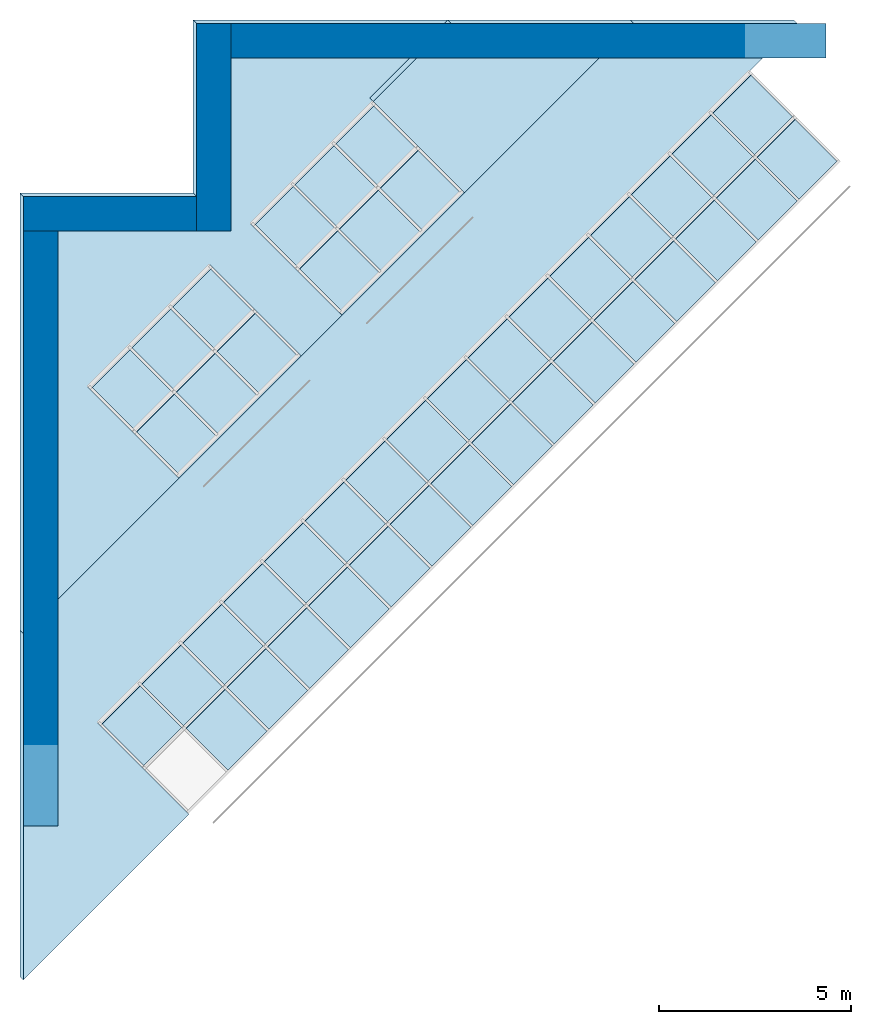
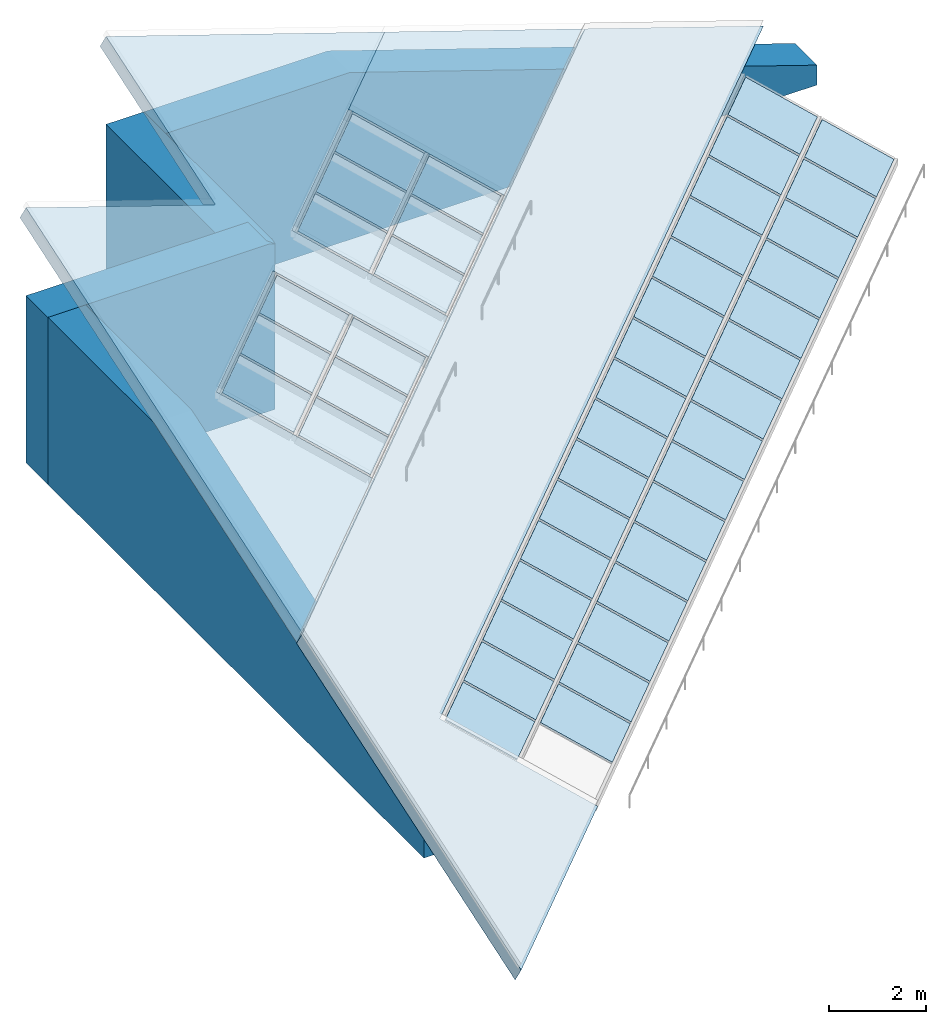
# One storey, part 2 of 3: 43 plates, 4 walls, 3 slabs, 3 elements without a shape of their own.
"""IFC4 building model written with IfcOpenShell, lengths in metres."""

from ifc_helpers import new_model, si_unit, direction, frame, origin, place, context, subcontext, project, spatial, polyline, outline, extrude, material, layer, layer_set, type_object, element, aggregate, save


model = new_model("IFC4")

# Units and contexts
model_context = context("Model", 3, precision=1e-05, world=origin(), true_north=direction((0.0, 1.0)))
body_context = subcontext(model_context, "Body", "Model", "MODEL_VIEW")
ifc_project = project(units=[si_unit("LENGTHUNIT", "METRE"), si_unit("AREAUNIT", "SQUARE_METRE"), si_unit("VOLUMEUNIT", "CUBIC_METRE"), si_unit("PLANEANGLEUNIT", "RADIAN"), si_unit("MASSUNIT", "GRAM", prefix="KILO")], contexts=[model_context])

# Site, building, storey
site_placement = place(None, origin())
site = spatial("IfcSite", under=ifc_project, at=site_placement, CompositionType="ELEMENT")
building_placement = place(site_placement, origin())
building = spatial("IfcBuilding", under=site, at=building_placement, Name="Hunhe Ridgeline Campus", CompositionType="ELEMENT")
storey_placement = place(building_placement, frame((0.0, 0.0, 328.199951171875)))
storey = spatial("IfcBuildingStorey", under=building, at=storey_placement, Name="L84 Crown", CompositionType="ELEMENT", Elevation=328.199951171875)

# Slabs
ifc_material_1 = material(Name="Concrete C40", Category="concrete")
ifc_layer_1 = layer(ifc_material_1, 0.300048828125)
ifc_layer_set_1 = layer_set([ifc_layer_1], Name="Roof slab 300 Concrete C40")
slab_type = type_object("IfcSlabType", Name="Roof slab 300 Concrete C40", PredefinedType="ROOF", material=ifc_layer_set_1)
slab_1_placement = place(storey_placement, frame((4.30517578125, 78.426513671875, -0.385009765625), z_axis=(0.301525980283, -0.30152748493, 0.904523774727), x_axis=(-0.639594894843, 0.639594894866, 0.42642319467)))
element("IfcSlab", 1, at=slab_1_placement, inside=storey, type_object=slab_type, Name="Crown roof slab 10", PredefinedType="ROOF", context=body_context, shape_type="SweptSolid", body=[
    extrude(outline(polyline([(0.0, 0.0), (3.719040818776296, -2.6085904270001237e-16), (3.719040819201382, -25.731367175136143), (7.035727745299717, -22.731342359778658), (7.035727744928742, -0.275523052373465), (-1.0058176513894068e-10, 6.0884379782404885), (0.0, 0.0)])), origin(), (0.0, 0.0, -1.0), 0.300048828125),
])
slab_2_placement = place(storey_placement, frame((11.121337890625, 99.0, 4.200927734375), z_axis=(0.301498684486, -0.301498684486, 0.904542473578), x_axis=(-0.707106781187, -0.707106781187, 0.0)))
element("IfcSlab", 2, at=slab_2_placement, inside=storey, type_object=slab_type, Name="Crown roof slab 11", PredefinedType="ROOF", context=body_context, shape_type="SweptSolid", body=[
    extrude(outline(polyline([(0.0, 0.0), (2.867442293825331, 0.0), (2.867442293825331, 3.718936715126869), (-3.3639362153811194, 3.7189367151268686), (0.0, 0.0)])), origin(), (0.0, 0.0, -1.0), 0.300048828125),
])
slab_3_placement = place(storey_placement, frame((0.0, 83.121337890625, 2.615234375), z_axis=(0.30153200849, -0.301522149013, 0.904523543923), x_axis=(0.707104679012, 0.707108883327, -6.30607e-06)))
element("IfcSlab", 3, at=slab_3_placement, inside=storey, type_object=slab_type, Name="Crown roof slab 12", PredefinedType="ROOF", context=body_context, shape_type="SweptSolid", body=[
    extrude(outline(polyline([(0.0, 0.0), (5.724181311038512, 0.0), (5.724181312189523, 3.718936711462228), (10.22439116851837, 3.718936711462227), (10.224391167367358, 0.0), (11.724230941488313, 0.0), (11.724230942639322, 3.718936711462227), (19.09188309272382, 3.718936711462227), (14.409890169710586, 8.895144047009792), (11.227909653845131, 5.3773322282066465), (8.045929139186317, 8.895144047009792), (0.0, 0.0)])), origin(), (0.0, 0.0, -1.0), 0.300048828125),
])

# Curtain wall, plates
ifc_material_2 = material(Name="Aluminium 6063", Category="aluminium")
curtain_wall_type = type_object("IfcCurtainWallType", Name="Curtain wall CW-6", PredefinedType="NOTDEFINED", material=ifc_material_2)
curtain_wall_1_placement = place(storey_placement, origin())
curtain_wall_1 = element("IfcCurtainWall", 4, at=curtain_wall_1_placement, inside=storey, type_object=curtain_wall_type, Name="Rooflight 7", PredefinedType="NOTDEFINED")
ifc_material_3 = material(Name="Low-e laminated glass", Category="glass")
ifc_layer_2 = layer(ifc_material_3, 0.0400390625)
ifc_layer_set_2 = layer_set([ifc_layer_2], Name="Rooflight glass panel 40 low-e laminated")
plate_type = type_object("IfcPlateType", Name="Rooflight glass panel 40 low-e laminated", PredefinedType="CURTAIN_PANEL", material=ifc_layer_set_2)
plate_1_placement = place(storey_placement, frame((21.155517578125, 95.418212890625, -0.337890625), z_axis=(0.301474033015, -0.301548655301, 0.904534032474), x_axis=(-0.639602149067, 0.639602149067, 0.426401432711)))
plate_1 = element("IfcPlate", 5, at=plate_1_placement, type_object=plate_type, Name="Rooflight panel 1.1", PredefinedType="CURTAIN_PANEL", context=body_context, shape_type="SweptSolid", body=[
    extrude(outline(polyline([(0.0, 0.0), (1.6936340109323371, 1.1218781979793757e-16), (1.6937901638007615, 1.3950512467586071), (0.00015615286842451948, 1.395051246758607), (0.0, 0.0)])), origin(), (0.0, 0.0, -1.0), 0.0400390625),
])
plate_2_placement = place(storey_placement, frame((20.11962890625, 94.38232421875, -0.337890625), z_axis=(0.301511344578, -0.301511344578, 0.904534033733), x_axis=(-0.639602149067, 0.639602149067, 0.426401432711)))
plate_2 = element("IfcPlate", 6, at=plate_2_placement, type_object=plate_type, Name="Rooflight panel 1.2", PredefinedType="CURTAIN_PANEL", context=body_context, shape_type="SweptSolid", body=[
    extrude(outline(polyline([(0.0, 0.0), (1.6936340109323371, 0.0), (1.693634010932337, 1.4300958435911524), (0.0, 1.4300958435911524), (0.0, 0.0)])), origin(), (0.0, 0.0, -1.0), 0.0400390625),
])
plate_3_placement = place(storey_placement, frame((19.058837890625, 93.321533203125, -0.337890625), z_axis=(0.301474942954, -0.301547745403, 0.904534032535), x_axis=(-0.639602149067, 0.639602149067, 0.426401432711)))
plate_3 = element("IfcPlate", 7, at=plate_3_placement, type_object=plate_type, Name="Rooflight panel 1.3", PredefinedType="CURTAIN_PANEL", context=body_context, shape_type="SweptSolid", body=[
    extrude(outline(polyline([(0.0, 0.0), (1.6936340109323371, -3.6469850576981155e-17), (1.6937901638007615, 1.4299232119943701), (0.00015615286842451948, 1.4299232119943701), (0.0, 0.0)])), origin(), (0.0, 0.0, -1.0), 0.0400390625),
])
plate_4_placement = place(storey_placement, frame((17.998291015625, 92.260986328125, -0.337890625), z_axis=(0.301511344578, -0.301511344578, 0.904534033733), x_axis=(-0.639602149067, 0.639602149067, 0.426401432711)))
plate_4 = element("IfcPlate", 8, at=plate_4_placement, type_object=plate_type, Name="Rooflight panel 1.4", PredefinedType="CURTAIN_PANEL", context=body_context, shape_type="SweptSolid", body=[
    extrude(outline(polyline([(0.0, 0.0), (1.6936340109323371, 0.0), (1.693634010932337, 1.4300958435911524), (0.0, 1.4300958435911524), (0.0, 0.0)])), origin(), (0.0, 0.0, -1.0), 0.0400390625),
])
plate_5_placement = place(storey_placement, frame((16.9375, 91.2001953125, -0.337890625), z_axis=(0.301474942954, -0.301547745403, 0.904534032535), x_axis=(-0.639602149067, 0.639602149067, 0.426401432711)))
plate_5 = element("IfcPlate", 9, at=plate_5_placement, type_object=plate_type, Name="Rooflight panel 1.5", PredefinedType="CURTAIN_PANEL", context=body_context, shape_type="SweptSolid", body=[
    extrude(outline(polyline([(0.0, 0.0), (1.6936340109323371, -3.6469850576981155e-17), (1.6937901638007615, 1.4299232119943701), (0.00015615286842451948, 1.4299232119943701), (0.0, 0.0)])), origin(), (0.0, 0.0, -1.0), 0.0400390625),
])
plate_6_placement = place(storey_placement, frame((15.876953125, 90.1396484375, -0.337890625), z_axis=(0.301511344578, -0.301511344578, 0.904534033733), x_axis=(-0.639602149067, 0.639602149067, 0.426401432711)))
plate_6 = element("IfcPlate", 10, at=plate_6_placement, type_object=plate_type, Name="Rooflight panel 1.6", PredefinedType="CURTAIN_PANEL", context=body_context, shape_type="SweptSolid", body=[
    extrude(outline(polyline([(0.0, 0.0), (1.6936340109323371, 0.0), (1.693634010932337, 1.4300958435911524), (0.0, 1.4300958435911524), (0.0, 0.0)])), origin(), (0.0, 0.0, -1.0), 0.0400390625),
])
plate_7_placement = place(storey_placement, frame((14.816162109375, 89.078857421875, -0.337890625), z_axis=(0.301483547543, -0.301483547543, 0.904552564046), x_axis=(-0.63954317933, 0.639687317978, 0.426362119554)))
plate_7 = element("IfcPlate", 11, at=plate_7_placement, type_object=plate_type, Name="Rooflight panel 1.7", PredefinedType="CURTAIN_PANEL", context=body_context, shape_type="SweptSolid", body=[
    extrude(outline(polyline([(0.0, 0.0), (1.6937901741978365, -3.077778917143226e-17), (1.6936444168056752, 1.4300958361632525), (-0.00014572220206188202, 1.4297505691820445), (0.0, 0.0)])), origin(), (0.0, 0.0, -1.0), 0.0400390625),
])
plate_8_placement = place(storey_placement, frame((13.755615234375, 88.018310546875, -0.337890625), z_axis=(0.301511344578, -0.301511344578, 0.904534033733), x_axis=(-0.639602149067, 0.639602149067, 0.426401432711)))
plate_8 = element("IfcPlate", 12, at=plate_8_placement, type_object=plate_type, Name="Rooflight panel 1.8", PredefinedType="CURTAIN_PANEL", context=body_context, shape_type="SweptSolid", body=[
    extrude(outline(polyline([(0.0, 0.0), (1.6936340109323371, 0.0), (1.693634010932337, 1.4300958435911524), (0.0, 1.4300958435911524), (0.0, 0.0)])), origin(), (0.0, 0.0, -1.0), 0.0400390625),
])
plate_9_placement = place(storey_placement, frame((12.69482421875, 86.957763671875, -0.337890625), z_axis=(0.301547745403, -0.301474942954, 0.904534032535), x_axis=(-0.639602149067, 0.639602149067, 0.426401432711)))
plate_9 = element("IfcPlate", 13, at=plate_9_placement, type_object=plate_type, Name="Rooflight panel 1.9", PredefinedType="CURTAIN_PANEL", context=body_context, shape_type="SweptSolid", body=[
    extrude(outline(polyline([(0.0, 0.0), (1.6936340109323371, 3.6469850576981155e-17), (1.6934778580639125, 1.4299232119943703), (-0.00015615286842451948, 1.4299232119943701), (0.0, 0.0)])), origin(), (0.0, 0.0, -1.0), 0.0400390625),
])
plate_10_placement = place(storey_placement, frame((11.63427734375, 85.89697265625, -0.337890625), z_axis=(0.301511344578, -0.301511344578, 0.904534033733), x_axis=(-0.639602149067, 0.639602149067, 0.426401432711)))
plate_10 = element("IfcPlate", 14, at=plate_10_placement, type_object=plate_type, Name="Rooflight panel 1.10", PredefinedType="CURTAIN_PANEL", context=body_context, shape_type="SweptSolid", body=[
    extrude(outline(polyline([(0.0, 0.0), (1.6936340109323371, 0.0), (1.693634010932337, 1.4300958435911524), (0.0, 1.4300958435911524), (0.0, 0.0)])), origin(), (0.0, 0.0, -1.0), 0.0400390625),
])
plate_11_placement = place(storey_placement, frame((10.573486328125, 84.83642578125, -0.337890625), z_axis=(0.301547745403, -0.301474942954, 0.904534032535), x_axis=(-0.639602149067, 0.639602149067, 0.426401432711)))
plate_11 = element("IfcPlate", 15, at=plate_11_placement, type_object=plate_type, Name="Rooflight panel 1.11", PredefinedType="CURTAIN_PANEL", context=body_context, shape_type="SweptSolid", body=[
    extrude(outline(polyline([(0.0, 0.0), (1.6936340109323371, 3.6469850576981155e-17), (1.6934778580639125, 1.4299232119943703), (-0.00015615286842451948, 1.4299232119943701), (0.0, 0.0)])), origin(), (0.0, 0.0, -1.0), 0.0400390625),
])
plate_12_placement = place(storey_placement, frame((9.512939453125, 83.775634765625, -0.337890625), z_axis=(0.301479245877, -0.301515643227, 0.90454329979), x_axis=(-0.639608700975, 0.639608701766, 0.426381775248)))
plate_12 = element("IfcPlate", 16, at=plate_12_placement, type_object=plate_type, Name="Rooflight panel 1.12", PredefinedType="CURTAIN_PANEL", context=body_context, shape_type="SweptSolid", body=[
    extrude(outline(polyline([(0.0, 0.0), (1.6936340105324015, -2.110128478199913e-17), (1.6937901642007342, 1.4299232115205895), (-7.998715023660452e-10, 1.4300958431175164), (0.0, 0.0)])), origin(), (0.0, 0.0, -1.0), 0.0400390625),
])
plate_13_placement = place(storey_placement, frame((8.4521484375, 82.715087890625, -0.337890625), z_axis=(0.301547745403, -0.301474942954, 0.904534032535), x_axis=(-0.639602149067, 0.639602149067, 0.426401432711)))
plate_13 = element("IfcPlate", 17, at=plate_13_placement, type_object=plate_type, Name="Rooflight panel 1.13", PredefinedType="CURTAIN_PANEL", context=body_context, shape_type="SweptSolid", body=[
    extrude(outline(polyline([(0.0, 0.0), (1.6936340109323371, 3.6469850576981155e-17), (1.6934778580639125, 1.4299232119943703), (-0.00015615286842451948, 1.4299232119943701), (0.0, 0.0)])), origin(), (0.0, 0.0, -1.0), 0.0400390625),
])
plate_14_placement = place(storey_placement, frame((7.3916015625, 81.654296875, -0.337890625), z_axis=(0.301474942954, -0.301547745403, 0.904534032535), x_axis=(-0.639602149067, 0.639602149067, 0.426401432711)))
plate_14 = element("IfcPlate", 18, at=plate_14_placement, type_object=plate_type, Name="Rooflight panel 1.14", PredefinedType="CURTAIN_PANEL", context=body_context, shape_type="SweptSolid", body=[
    extrude(outline(polyline([(0.0, 0.0), (1.6936340109323371, -3.6469850576981155e-17), (1.6937901638007615, 1.4299232119943701), (0.00015615286842451948, 1.4299232119943701), (0.0, 0.0)])), origin(), (0.0, 0.0, -1.0), 0.0400390625),
])
plate_15_placement = place(storey_placement, frame((6.3310546875, 80.59375, -0.337890625), z_axis=(0.301515643227, -0.301479245877, 0.90454329979), x_axis=(-0.639680766185, 0.639536628329, 0.426381775406)))
plate_15 = element("IfcPlate", 19, at=plate_15_placement, type_object=plate_type, Name="Rooflight panel 1.15", PredefinedType="CURTAIN_PANEL", context=body_context, shape_type="SweptSolid", body=[
    extrude(outline(polyline([(0.0, 0.0), (1.6937901737979375, 9.269928574751063e-17), (1.6937797583282785, 1.4299232200089778), (0.0001457565923979054, 1.430095835689698), (0.0, 0.0)])), origin(), (0.0, 0.0, -1.0), 0.0400390625),
])
plate_16_placement = place(storey_placement, frame((20.00146484375, 96.572265625, 0.431640625), z_axis=(0.301548655301, -0.301474033015, 0.904534032474), x_axis=(-0.639602149067, 0.639602149067, 0.426401432711)))
plate_16 = element("IfcPlate", 20, at=plate_16_placement, type_object=plate_type, Name="Rooflight panel 2.1", PredefinedType="CURTAIN_PANEL", context=body_context, shape_type="SweptSolid", body=[
    extrude(outline(polyline([(0.0, 0.0), (1.6936340109323371, -1.1218781979793757e-16), (1.6934778580639125, 1.3950512467586067), (-0.00015615286842451948, 1.395051246758607), (0.0, 0.0)])), origin(), (0.0, 0.0, -1.0), 0.0400390625),
])
plate_17_placement = place(storey_placement, frame((18.965576171875, 95.536376953125, 0.431640625), z_axis=(0.301511344578, -0.301511344578, 0.904534033733), x_axis=(-0.639602149067, 0.639602149067, 0.426401432711)))
plate_17 = element("IfcPlate", 21, at=plate_17_placement, type_object=plate_type, Name="Rooflight panel 2.2", PredefinedType="CURTAIN_PANEL", context=body_context, shape_type="SweptSolid", body=[
    extrude(outline(polyline([(0.0, 0.0), (1.6936340109323371, 0.0), (1.693634010932337, 1.4300958435911524), (0.0, 1.4300958435911524), (0.0, 0.0)])), origin(), (0.0, 0.0, -1.0), 0.0400390625),
])
plate_18_placement = place(storey_placement, frame((17.90478515625, 94.4755859375, 0.431640625), z_axis=(0.301547745403, -0.301474942954, 0.904534032535), x_axis=(-0.639602149067, 0.639602149067, 0.426401432711)))
plate_18 = element("IfcPlate", 22, at=plate_18_placement, type_object=plate_type, Name="Rooflight panel 2.3", PredefinedType="CURTAIN_PANEL", context=body_context, shape_type="SweptSolid", body=[
    extrude(outline(polyline([(0.0, 0.0), (1.6936340109323371, 3.6469850576981155e-17), (1.6934778580639125, 1.4299232119943703), (-0.00015615286842451948, 1.4299232119943701), (0.0, 0.0)])), origin(), (0.0, 0.0, -1.0), 0.0400390625),
])
plate_19_placement = place(storey_placement, frame((16.84423828125, 93.4150390625, 0.431640625), z_axis=(0.301511344578, -0.301511344578, 0.904534033733), x_axis=(-0.639602149067, 0.639602149067, 0.426401432711)))
plate_19 = element("IfcPlate", 23, at=plate_19_placement, type_object=plate_type, Name="Rooflight panel 2.4", PredefinedType="CURTAIN_PANEL", context=body_context, shape_type="SweptSolid", body=[
    extrude(outline(polyline([(0.0, 0.0), (1.6936340109323371, 0.0), (1.693634010932337, 1.4300958435911524), (0.0, 1.4300958435911524), (0.0, 0.0)])), origin(), (0.0, 0.0, -1.0), 0.0400390625),
])
plate_20_placement = place(storey_placement, frame((15.783447265625, 92.354248046875, 0.431640625), z_axis=(0.301547745403, -0.301474942954, 0.904534032535), x_axis=(-0.639602149067, 0.639602149067, 0.426401432711)))
plate_20 = element("IfcPlate", 24, at=plate_20_placement, type_object=plate_type, Name="Rooflight panel 2.5", PredefinedType="CURTAIN_PANEL", context=body_context, shape_type="SweptSolid", body=[
    extrude(outline(polyline([(0.0, 0.0), (1.6936340109323371, 3.6469850576981155e-17), (1.6934778580639125, 1.4299232119943703), (-0.00015615286842451948, 1.4299232119943701), (0.0, 0.0)])), origin(), (0.0, 0.0, -1.0), 0.0400390625),
])
plate_21_placement = place(storey_placement, frame((14.722900390625, 91.293701171875, 0.431640625), z_axis=(0.301511344578, -0.301511344578, 0.904534033733), x_axis=(-0.639602149067, 0.639602149067, 0.426401432711)))
plate_21 = element("IfcPlate", 25, at=plate_21_placement, type_object=plate_type, Name="Rooflight panel 2.6", PredefinedType="CURTAIN_PANEL", context=body_context, shape_type="SweptSolid", body=[
    extrude(outline(polyline([(0.0, 0.0), (1.6936340109323371, 0.0), (1.693634010932337, 1.4300958435911524), (0.0, 1.4300958435911524), (0.0, 0.0)])), origin(), (0.0, 0.0, -1.0), 0.0400390625),
])
plate_22_placement = place(storey_placement, frame((13.662353515625, 90.23291015625, 0.431640625), z_axis=(0.301483547543, -0.301483547543, 0.904552564046), x_axis=(-0.639687317978, 0.63954317933, 0.426362119554)))
plate_22 = element("IfcPlate", 26, at=plate_22_placement, type_object=plate_type, Name="Rooflight panel 2.7", PredefinedType="CURTAIN_PANEL", context=body_context, shape_type="SweptSolid", body=[
    extrude(outline(polyline([(0.0, 0.0), (1.6937901741978365, 3.077778917143226e-17), (1.6939358963998983, 1.4297505691820447), (0.00014575739216138306, 1.4300958361632525), (0.0, 0.0)])), origin(), (0.0, 0.0, -1.0), 0.0400390625),
])
plate_23_placement = place(storey_placement, frame((12.6015625, 89.17236328125, 0.431640625), z_axis=(0.301511344578, -0.301511344578, 0.904534033733), x_axis=(-0.639602149067, 0.639602149067, 0.426401432711)))
plate_23 = element("IfcPlate", 27, at=plate_23_placement, type_object=plate_type, Name="Rooflight panel 2.8", PredefinedType="CURTAIN_PANEL", context=body_context, shape_type="SweptSolid", body=[
    extrude(outline(polyline([(0.0, 0.0), (1.6936340109323371, 0.0), (1.693634010932337, 1.4300958435911524), (0.0, 1.4300958435911524), (0.0, 0.0)])), origin(), (0.0, 0.0, -1.0), 0.0400390625),
])
plate_24_placement = place(storey_placement, frame((11.541015625, 88.111572265625, 0.431640625), z_axis=(0.301474942954, -0.301547745403, 0.904534032535), x_axis=(-0.639602149067, 0.639602149067, 0.426401432711)))
plate_24 = element("IfcPlate", 28, at=plate_24_placement, type_object=plate_type, Name="Rooflight panel 2.9", PredefinedType="CURTAIN_PANEL", context=body_context, shape_type="SweptSolid", body=[
    extrude(outline(polyline([(0.0, 0.0), (1.6936340109323371, -3.6469850576981155e-17), (1.6937901638007615, 1.4299232119943701), (0.00015615286842451948, 1.4299232119943701), (0.0, 0.0)])), origin(), (0.0, 0.0, -1.0), 0.0400390625),
])
plate_25_placement = place(storey_placement, frame((10.480224609375, 87.051025390625, 0.431640625), z_axis=(0.301511344578, -0.301511344578, 0.904534033733), x_axis=(-0.639602149067, 0.639602149067, 0.426401432711)))
plate_25 = element("IfcPlate", 29, at=plate_25_placement, type_object=plate_type, Name="Rooflight panel 2.10", PredefinedType="CURTAIN_PANEL", context=body_context, shape_type="SweptSolid", body=[
    extrude(outline(polyline([(0.0, 0.0), (1.6936340109323371, 0.0), (1.693634010932337, 1.4300958435911524), (0.0, 1.4300958435911524), (0.0, 0.0)])), origin(), (0.0, 0.0, -1.0), 0.0400390625),
])
plate_26_placement = place(storey_placement, frame((9.419677734375, 85.990234375, 0.431640625), z_axis=(0.301474942954, -0.301547745403, 0.904534032535), x_axis=(-0.639602149067, 0.639602149067, 0.426401432711)))
plate_26 = element("IfcPlate", 30, at=plate_26_placement, type_object=plate_type, Name="Rooflight panel 2.11", PredefinedType="CURTAIN_PANEL", context=body_context, shape_type="SweptSolid", body=[
    extrude(outline(polyline([(0.0, 0.0), (1.6936340109323371, -3.6469850576981155e-17), (1.6937901638007615, 1.4299232119943701), (0.00015615286842451948, 1.4299232119943701), (0.0, 0.0)])), origin(), (0.0, 0.0, -1.0), 0.0400390625),
])
plate_27_placement = place(storey_placement, frame((8.35888671875, 84.9296875, 0.431640625), z_axis=(0.301515643227, -0.301479245877, 0.90454329979), x_axis=(-0.639608701766, 0.639608700975, 0.426381775248)))
plate_27 = element("IfcPlate", 31, at=plate_27_placement, type_object=plate_type, Name="Rooflight panel 2.12", PredefinedType="CURTAIN_PANEL", context=body_context, shape_type="SweptSolid", body=[
    extrude(outline(polyline([(0.0, 0.0), (1.6936340105324015, 2.110128478199913e-17), (1.6936340113322728, 1.4300958431175164), (-0.00015615366833288125, 1.4299232115205898), (0.0, 0.0)])), origin(), (0.0, 0.0, -1.0), 0.0400390625),
])
plate_28_placement = place(storey_placement, frame((7.29833984375, 83.868896484375, 0.431640625), z_axis=(0.301474942954, -0.301547745403, 0.904534032535), x_axis=(-0.639602149067, 0.639602149067, 0.426401432711)))
plate_28 = element("IfcPlate", 32, at=plate_28_placement, type_object=plate_type, Name="Rooflight panel 2.13", PredefinedType="CURTAIN_PANEL", context=body_context, shape_type="SweptSolid", body=[
    extrude(outline(polyline([(0.0, 0.0), (1.6936340109323371, -3.6469850576981155e-17), (1.6937901638007615, 1.4299232119943701), (0.00015615286842451948, 1.4299232119943701), (0.0, 0.0)])), origin(), (0.0, 0.0, -1.0), 0.0400390625),
])
plate_29_placement = place(storey_placement, frame((6.237548828125, 82.808349609375, 0.431640625), z_axis=(0.301547745403, -0.301474942954, 0.904534032535), x_axis=(-0.639602149067, 0.639602149067, 0.426401432711)))
plate_29 = element("IfcPlate", 33, at=plate_29_placement, type_object=plate_type, Name="Rooflight panel 2.14", PredefinedType="CURTAIN_PANEL", context=body_context, shape_type="SweptSolid", body=[
    extrude(outline(polyline([(0.0, 0.0), (1.6936340109323371, 3.6469850576981155e-17), (1.6934778580639125, 1.4299232119943703), (-0.00015615286842451948, 1.4299232119943701), (0.0, 0.0)])), origin(), (0.0, 0.0, -1.0), 0.0400390625),
])
plate_30_placement = place(storey_placement, frame((5.177001953125, 81.74755859375, 0.431640625), z_axis=(0.301479245877, -0.301515643227, 0.90454329979), x_axis=(-0.639536628329, 0.639680766185, 0.426381775406)))
plate_30 = element("IfcPlate", 34, at=plate_30_placement, type_object=plate_type, Name="Rooflight panel 2.15", PredefinedType="CURTAIN_PANEL", context=body_context, shape_type="SweptSolid", body=[
    extrude(outline(polyline([(0.0, 0.0), (1.6937901737979375, -9.269928574751063e-17), (1.6936444172055396, 1.4300958356896978), (1.041546965907525e-05, 1.4299232200089778), (0.0, 0.0)])), origin(), (0.0, 0.0, -1.0), 0.0400390625),
])
plate_31_placement = place(storey_placement, frame((4.1162109375, 80.68701171875, 0.431640625), z_axis=(0.301511344578, -0.301511344578, 0.904534033733), x_axis=(-0.639602149067, 0.639602149067, 0.426401432711)))
plate_31 = element("IfcPlate", 35, at=plate_31_placement, type_object=plate_type, Name="Rooflight panel 2.16", PredefinedType="CURTAIN_PANEL", context=body_context, shape_type="SweptSolid", body=[
    extrude(outline(polyline([(0.0, 0.0), (1.6936340109323371, 0.0), (1.693634010932337, 1.3948786113250256), (0.0, 1.3948786113250256), (0.0, 0.0)])), origin(), (0.0, 0.0, -1.0), 0.0400390625),
])
aggregate(curtain_wall_1, [plate_1, plate_2, plate_3, plate_4, plate_5, plate_6, plate_7, plate_8, plate_9, plate_10, plate_11, plate_12, plate_13, plate_14, plate_15, plate_16, plate_17, plate_18, plate_19, plate_20, plate_21, plate_22, plate_23, plate_24, plate_25, plate_26, plate_27, plate_28, plate_29, plate_30, plate_31])

curtain_wall_2_placement = place(storey_placement, origin())
curtain_wall_2 = element("IfcCurtainWall", 36, at=curtain_wall_2_placement, inside=storey, type_object=curtain_wall_type, Name="Rooflight 8", PredefinedType="NOTDEFINED")
plate_32_placement = place(storey_placement, frame((11.35205078125, 94.614990234375, 2.662353515625), z_axis=(0.301548655301, -0.301474033015, 0.904534032474), x_axis=(-0.639602149067, 0.639602149067, 0.426401432711)))
plate_32 = element("IfcPlate", 37, at=plate_32_placement, type_object=plate_type, Name="Rooflight panel 1.1", PredefinedType="CURTAIN_PANEL", context=body_context, shape_type="SweptSolid", body=[
    extrude(outline(polyline([(0.0, 0.0), (1.6936340109323371, -1.1218781979793757e-16), (1.6934778580639125, 1.3950512467586067), (-0.00015615286842451948, 1.395051246758607), (0.0, 0.0)])), origin(), (0.0, 0.0, -1.0), 0.0400390625),
])
plate_33_placement = place(storey_placement, frame((10.316162109375, 93.578857421875, 2.662353515625), z_axis=(0.301483547543, -0.301483547543, 0.904552564046), x_axis=(-0.63954317933, 0.639687317978, 0.426362119554)))
plate_33 = element("IfcPlate", 38, at=plate_33_placement, type_object=plate_type, Name="Rooflight panel 1.2", PredefinedType="CURTAIN_PANEL", context=body_context, shape_type="SweptSolid", body=[
    extrude(outline(polyline([(0.0, 0.0), (1.6937901741978365, -3.077778917143226e-17), (1.6936444168056752, 1.4300958361632525), (-0.00014572220206188202, 1.4297505691820445), (0.0, 0.0)])), origin(), (0.0, 0.0, -1.0), 0.0400390625),
])
plate_34_placement = place(storey_placement, frame((9.255615234375, 92.518310546875, 2.662353515625), z_axis=(0.301474033015, -0.301548655301, 0.904534032474), x_axis=(-0.639602149067, 0.639602149067, 0.426401432711)))
plate_34 = element("IfcPlate", 39, at=plate_34_placement, type_object=plate_type, Name="Rooflight panel 1.3", PredefinedType="CURTAIN_PANEL", context=body_context, shape_type="SweptSolid", body=[
    extrude(outline(polyline([(0.0, 0.0), (1.6936340109323371, 1.1218781979793757e-16), (1.6937901638007615, 1.3950512467586071), (0.00015615286842451948, 1.395051246758607), (0.0, 0.0)])), origin(), (0.0, 0.0, -1.0), 0.0400390625),
])
plate_35_placement = place(storey_placement, frame((10.1982421875, 95.768798828125, 3.431640625), z_axis=(0.301557412944, -0.301632055868, 0.904478429578), x_axis=(-0.639562831882, 0.639562831882, 0.426519364332)))
plate_35 = element("IfcPlate", 40, at=plate_35_placement, type_object=plate_type, Name="Rooflight panel 2.1", PredefinedType="CURTAIN_PANEL", context=body_context, shape_type="SweptSolid", body=[
    extrude(outline(polyline([(0.0, 0.0), (1.6937381272410124, -6.539771979161002e-17), (1.6938942705105149, 1.395051246759681), (0.00015614326950241786, 1.3950512467596812), (0.0, 0.0)])), origin(), (0.0, 0.0, -1.0), 0.0400390625),
])
plate_36_placement = place(storey_placement, frame((9.162353515625, 94.73291015625, 3.431640625), z_axis=(0.301566933522, -0.301566933522, 0.904496970262), x_axis=(-0.639648002808, 0.639503873019, 0.426480045135)))
plate_36 = element("IfcPlate", 41, at=plate_36_placement, type_object=plate_type, Name="Rooflight panel 2.2", PredefinedType="CURTAIN_PANEL", context=body_context, shape_type="SweptSolid", body=[
    extrude(outline(polyline([(0.0, 0.0), (1.6938942809078354, 2.0796352920987582e-17), (1.6940399941538136, 1.4297505691829575), (0.00014574843391479408, 1.4300958361641656), (0.0, 0.0)])), origin(), (0.0, 0.0, -1.0), 0.0400390625),
])
plate_37_placement = place(storey_placement, frame((8.1015625, 93.67236328125, 3.431640625), z_axis=(0.301632055868, -0.301557412944, 0.904478429578), x_axis=(-0.639562831882, 0.639562831882, 0.426519364332)))
plate_37 = element("IfcPlate", 42, at=plate_37_placement, type_object=plate_type, Name="Rooflight panel 2.3", PredefinedType="CURTAIN_PANEL", context=body_context, shape_type="SweptSolid", body=[
    extrude(outline(polyline([(0.0, 0.0), (1.6937381272410124, 6.539771979161002e-17), (1.6935819839715098, 1.3950512467596812), (-0.00015614326950241786, 1.3950512467596812), (0.0, 0.0)])), origin(), (0.0, 0.0, -1.0), 0.0400390625),
])
aggregate(curtain_wall_2, [plate_32, plate_33, plate_34, plate_35, plate_36, plate_37])

curtain_wall_3_placement = place(storey_placement, origin())
curtain_wall_3 = element("IfcCurtainWall", 43, at=curtain_wall_3_placement, inside=storey, type_object=curtain_wall_type, Name="Rooflight 9", PredefinedType="NOTDEFINED")
plate_38_placement = place(storey_placement, frame((7.109619140625, 90.372314453125, 2.662353515625), z_axis=(0.301516098083, -0.301478790969, 0.904543299789), x_axis=(-0.639680766166, 0.639536628329, 0.426381775436)))
plate_38 = element("IfcPlate", 44, at=plate_38_placement, type_object=plate_type, Name="Rooflight panel 1.1", PredefinedType="CURTAIN_PANEL", context=body_context, shape_type="SweptSolid", body=[
    extrude(outline(polyline([(0.0, 0.0), (1.6937901737979362, -6.066111155056397e-17), (1.6937762041282285, 1.3950512549424896), (0.00014220239234452592, 1.3952238705758573), (0.0, 0.0)])), origin(), (0.0, 0.0, -1.0), 0.0400390625),
])
plate_39_placement = place(storey_placement, frame((6.073486328125, 89.33642578125, 2.662353515625), z_axis=(0.301547745403, -0.301474942954, 0.904534032535), x_axis=(-0.639602149067, 0.639602149067, 0.426401432711)))
plate_39 = element("IfcPlate", 45, at=plate_39_placement, type_object=plate_type, Name="Rooflight panel 1.2", PredefinedType="CURTAIN_PANEL", context=body_context, shape_type="SweptSolid", body=[
    extrude(outline(polyline([(0.0, 0.0), (1.6936340109323371, 3.6469850576981155e-17), (1.6934778580639125, 1.4299232119943703), (-0.00015615286842451948, 1.4299232119943701), (0.0, 0.0)])), origin(), (0.0, 0.0, -1.0), 0.0400390625),
])
plate_40_placement = place(storey_placement, frame((5.012939453125, 88.275634765625, 2.662353515625), z_axis=(0.301511344578, -0.301511344578, 0.904534033733), x_axis=(-0.639602149067, 0.639602149067, 0.426401432711)))
plate_40 = element("IfcPlate", 46, at=plate_40_placement, type_object=plate_type, Name="Rooflight panel 1.3", PredefinedType="CURTAIN_PANEL", context=body_context, shape_type="SweptSolid", body=[
    extrude(outline(polyline([(0.0, 0.0), (1.6936340109323371, 0.0), (1.693634010932337, 1.3948786113250256), (0.0, 1.3948786113250256), (0.0, 0.0)])), origin(), (0.0, 0.0, -1.0), 0.0400390625),
])
plate_41_placement = place(storey_placement, frame((5.95556640625, 91.526123046875, 3.431640625), z_axis=(0.301562173923, -0.301599491356, 0.904487701449), x_axis=(-0.639497318796, 0.639641447774, 0.426499704036)))
plate_41 = element("IfcPlate", 47, at=plate_41_placement, type_object=plate_type, Name="Rooflight panel 2.1", PredefinedType="CURTAIN_PANEL", context=body_context, shape_type="SweptSolid", body=[
    extrude(outline(polyline([(0.0, 0.0), (1.6938942805077386, 1.3822900072832378e-16), (1.693752086855593, 1.39522387057648), (1.3968810689601874e-05, 1.39505125494223), (0.0, 0.0)])), origin(), (0.0, 0.0, -1.0), 0.0400390625),
])
plate_42_placement = place(storey_placement, frame((4.919677734375, 90.490234375, 3.431640625), z_axis=(0.301558323134, -0.301631145719, 0.904478429638), x_axis=(-0.639562831882, 0.639562831882, 0.426519364332)))
plate_42 = element("IfcPlate", 48, at=plate_42_placement, type_object=plate_type, Name="Rooflight panel 2.2", PredefinedType="CURTAIN_PANEL", context=body_context, shape_type="SweptSolid", body=[
    extrude(outline(polyline([(0.0, 0.0), (1.6937381272410124, -1.9522415368317114e-16), (1.6938942705105149, 1.4299232119954182), (0.00015614326950241786, 1.4299232119954184), (0.0, 0.0)])), origin(), (0.0, 0.0, -1.0), 0.0400390625),
])
plate_43_placement = place(storey_placement, frame((3.85888671875, 89.4296875, 3.431640625), z_axis=(0.301594734826, -0.301594734826, 0.904478430837), x_axis=(-0.639562831882, 0.639562831882, 0.426519364332)))
plate_43 = element("IfcPlate", 49, at=plate_43_placement, type_object=plate_type, Name="Rooflight panel 2.3", PredefinedType="CURTAIN_PANEL", context=body_context, shape_type="SweptSolid", body=[
    extrude(outline(polyline([(0.0, 0.0), (1.6937381272410124, 0.0), (1.6937381272410124, 1.3948786113250253), (0.0, 1.3948786113250253), (0.0, 0.0)])), origin(), (0.0, 0.0, -1.0), 0.0400390625),
])
aggregate(curtain_wall_3, [plate_38, plate_39, plate_40, plate_41, plate_42, plate_43])

# Walls
ifc_material_4 = material(Name="Concrete C50", Category="concrete")
ifc_layer_3 = layer(ifc_material_4, 0.89990234375)
ifc_layer_set_3 = layer_set([ifc_layer_3], Name="Spine wall 900 Concrete C50")
wall_type = type_object("IfcWallType", Name="Spine wall 900 Concrete C50", PredefinedType="SHEAR", material=ifc_layer_set_3)
wall_1_placement = place(storey_placement, frame((0.449951171875, 94.5, 0.0), z_axis=(0.0, 0.0, 1.0), x_axis=(0.0, -1.0, 0.0)))
element("IfcWall", 50, at=wall_1_placement, inside=storey, type_object=wall_type, Name="Spine wall SW4-1 L84 Crown", PredefinedType="SHEAR", context=body_context, shape_type="SweptSolid", body=[
    extrude(outline(polyline([(0.0, 0.0), (16.373779296875, 0.0), (16.373779296875, 0.5), (5.2744140625, 4.199951171875), (0.0, 4.199951171875), (0.0, 0.0)])), frame((0.0, 0.449951171875, 0.0), z_axis=(0.0, -1.0, 0.0), x_axis=(1.0, 0.0, 0.0)), (0.0, 0.0, 1.0), 0.89990234375),
])
wall_2_placement = place(storey_placement, frame((20.873779296875, 98.550048828125, 0.0), z_axis=(0.0, 0.0, 1.0), x_axis=(-1.0, 0.0, 0.0)))
element("IfcWall", 51, at=wall_2_placement, inside=storey, type_object=wall_type, Name="Spine wall SW4-2 L84 Crown", PredefinedType="SHEAR", context=body_context, shape_type="SweptSolid", body=[
    extrude(outline(polyline([(0.0, 0.0), (16.373779296875, 0.0), (16.373779296875, 4.199951171875), (11.099365234375, 4.199951171875), (0.0, 0.5), (0.0, 0.0)])), frame((0.0, 0.449951171875, 0.0), z_axis=(0.0, -1.0, 0.0), x_axis=(1.0, 0.0, 0.0)), (0.0, 0.0, 1.0), 0.89990234375),
])
wall_3_placement = place(storey_placement, frame((4.949951171875, 99.0, 0.0), z_axis=(0.0, 0.0, 1.0), x_axis=(0.0, -1.0, 0.0)))
element("IfcWall", 52, at=wall_3_placement, inside=storey, type_object=wall_type, Name="Spine wall SW4-3 L84 Crown", PredefinedType="SHEAR", context=body_context, shape_type="SweptSolid", body=[
    extrude(outline(polyline([(0.0, 0.0), (5.39990234375, 0.0), (5.39990234375, 4.158203125), (5.2744140625, 4.199951171875), (0.0, 4.199951171875), (0.0, 0.0)])), frame((0.0, 0.449951171875, 0.0), z_axis=(0.0, -1.0, 0.0), x_axis=(1.0, 0.0, 0.0)), (0.0, 0.0, 1.0), 0.89990234375),
])
wall_4_placement = place(storey_placement, frame((5.39990234375, 94.050048828125, 0.0), z_axis=(0.0, 0.0, 1.0), x_axis=(-1.0, 0.0, 0.0)))
element("IfcWall", 53, at=wall_4_placement, inside=storey, type_object=wall_type, Name="Spine wall SW4-4 L84 Crown", PredefinedType="SHEAR", context=body_context, shape_type="SweptSolid", body=[
    extrude(outline(polyline([(0.0, 0.0), (5.39990234375, 0.0), (5.39990234375, 4.199951171875), (0.125732421875, 4.199951171875), (0.0, 4.158203125), (0.0, 0.0)])), frame((0.0, 0.449951171875, 0.0), z_axis=(0.0, -1.0, 0.0), x_axis=(1.0, 0.0, 0.0)), (0.0, 0.0, 1.0), 0.89990234375),
])

save(model, "model.ifc")
